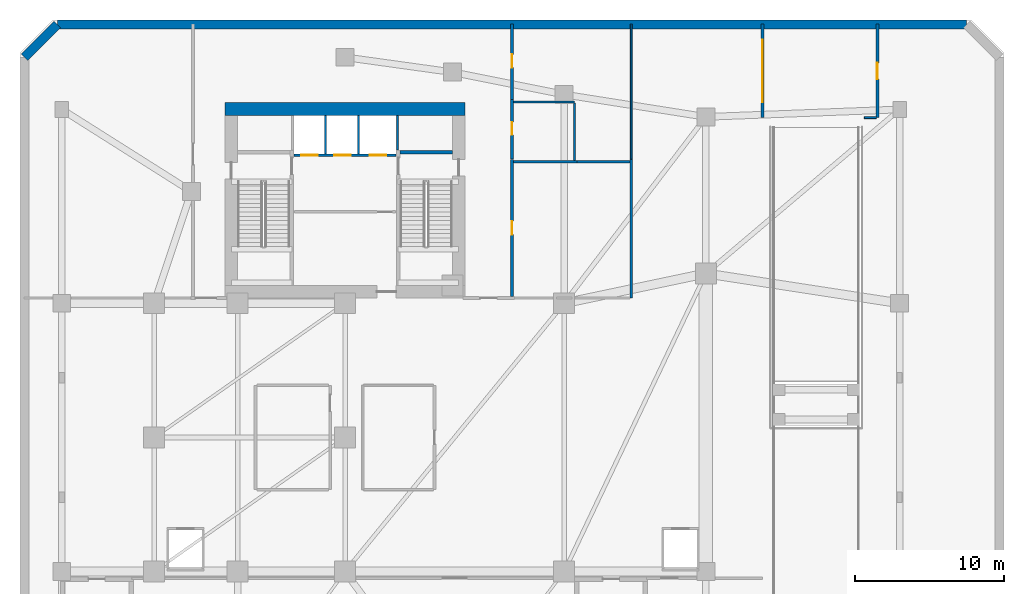
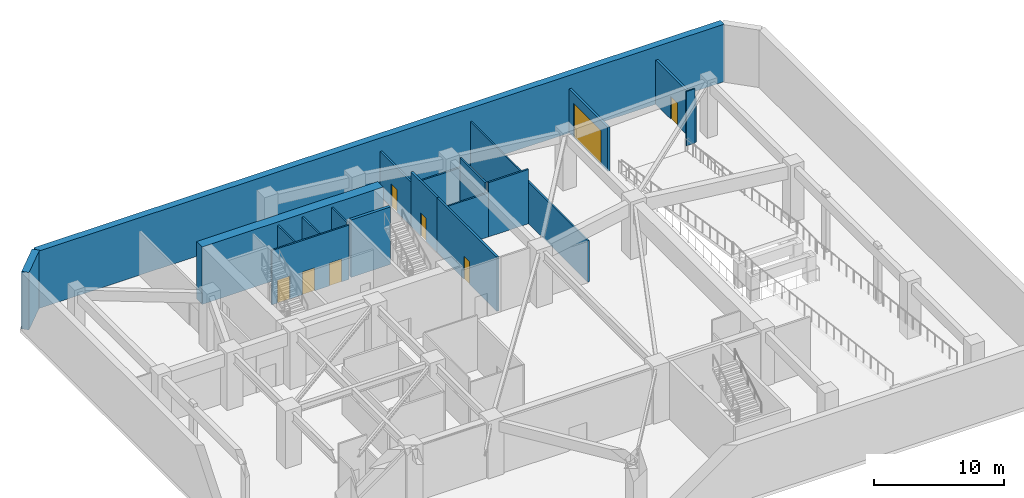
# One storey, part 4 of 9: 20 walls, 8 doors, 8 openings.
"""IFC4 building model written with IfcOpenShell, lengths in metres."""

from ifc_helpers import new_model, si_unit, direction, frame, frame_2d, origin, place, context, subcontext, project, spatial, rectangle, extrude, source, transform, mapped, material, layer, layer_set, type_object, element, fill, save


model = new_model("IFC4")

# Units and contexts
model_context = context("Model", 3, precision=1e-05, world=origin(), true_north=direction((0.0, 1.0)))
body_context = subcontext(model_context, "Body", "Model", "MODEL_VIEW")
ifc_project = project(units=[si_unit("LENGTHUNIT", "METRE"), si_unit("AREAUNIT", "SQUARE_METRE"), si_unit("VOLUMEUNIT", "CUBIC_METRE"), si_unit("PLANEANGLEUNIT", "RADIAN"), si_unit("MASSUNIT", "GRAM", prefix="KILO")], contexts=[model_context])

# Site, building, storey
site_placement = place(None, origin())
site = spatial("IfcSite", under=ifc_project, at=site_placement, CompositionType="ELEMENT")
building_placement = place(site_placement, origin())
building = spatial("IfcBuilding", under=site, at=building_placement, Name="Calvemar Wedge Station Tower", CompositionType="ELEMENT")
storey_placement = place(building_placement, frame((0.0, 0.0, -5.39990234375)))
storey = spatial("IfcBuildingStorey", under=building, at=storey_placement, Name="B01", CompositionType="ELEMENT", Elevation=-5.39990234375)

# Walls
ifc_material_1 = material(Name="Concrete C50", Category="concrete")
ifc_layer_1 = layer(ifc_material_1, 0.260009765625)
ifc_layer_set_1 = layer_set([ifc_layer_1], Name="Concrete C50")
wall_type_1 = type_object("IfcWallType", Name="SW-CORE-260", PredefinedType="SHEAR", material=ifc_layer_set_1)
wall_1_placement = place(storey_placement, frame((27.5, 43.1298828125, 0.0), z_axis=(0.0, 0.0, 1.0), x_axis=(1.0, 0.0, 0.0)))
element("IfcWall", 1, at=wall_1_placement, inside=storey, type_object=wall_type_1, Name="Storey B01 Core Shear Wall STC2-N", PredefinedType="SHEAR", context=body_context, shape_type="SweptSolid", body=[
    extrude(rectangle(XDim=3.5, YDim=0.260009765625, at=frame_2d((1.75, 0.0))), origin(), (0.0, 0.0, 1.0), 5.39990234375),
])
ifc_material_2 = material(Name="Concrete C80", Category="concrete")
ifc_layer_2 = layer(ifc_material_2, 0.85009765625)
ifc_layer_set_2 = layer_set([ifc_layer_2], Name="Concrete C80")
wall_type_2 = type_object("IfcWallType", Name="SW-CORE-850", PredefinedType="SHEAR", material=ifc_layer_set_2)
wall_2_placement = place(storey_placement, frame((15.75, 46.02490234375, 0.0), z_axis=(0.0, 0.0, 1.0), x_axis=(1.0, 0.0, 0.0)))
element("IfcWall", 2, at=wall_2_placement, inside=storey, type_object=wall_type_2, Name="Storey B01 Core Shear Wall N", PredefinedType="SHEAR", context=body_context, shape_type="SweptSolid", body=[
    extrude(rectangle(XDim=16.10009765625, YDim=0.85009765625, at=frame_2d((8.050048828125, 0.0))), origin(), (0.0, 0.0, 1.0), 5.39990234375),
])
ifc_layer_3 = layer(ifc_material_1, 0.60009765625)
ifc_layer_set_3 = layer_set([ifc_layer_3], Name="Concrete C50")
wall_type_3 = type_object("IfcWallType", Name="SW-CORE-RET-600", PredefinedType="SHEAR", material=ifc_layer_set_3)
wall_3_placement = place(storey_placement, frame((65.5, 51.699951171875, 0.0), z_axis=(0.0, 0.0, 1.0), x_axis=(-1.0, 0.0, 0.0)))
element("IfcWall", 3, at=wall_3_placement, inside=storey, type_object=wall_type_3, Name="Basement B01 Diaphragm Retaining Wall 5", PredefinedType="SHEAR", context=body_context, shape_type="SweptSolid", body=[
    extrude(rectangle(XDim=61.0, YDim=0.60009765625, at=frame_2d((30.5, 0.0))), origin(), (0.0, 0.0, 1.0), 5.39990234375),
])
wall_4_placement = place(storey_placement, frame((4.5, 51.699951171875, 0.0), z_axis=(0.0, 0.0, 1.0), x_axis=(-0.707106781187, -0.707106781187, 0.0)))
element("IfcWall", 4, at=wall_4_placement, inside=storey, type_object=wall_type_3, Name="Basement B01 Diaphragm Retaining Wall 6", PredefinedType="SHEAR", context=body_context, shape_type="SweptSolid", body=[
    extrude(rectangle(XDim=3.111083984375, YDim=0.60009765625, at=frame_2d((1.5556640625, 0.0))), origin(), (0.0, 0.0, 1.0), 5.39990234375),
])

# Wall, opening, door
ifc_material_3 = material(Name="Double-stud fire-rated corridor partition")
ifc_layer_4 = layer(ifc_material_3, 0.179931640625)
ifc_layer_set_4 = layer_set([ifc_layer_4], Name="Double-stud fire-rated corridor partition")
wall_type_4 = type_object("IfcWallType", Name="W-CORR-180", PredefinedType="PARTITIONING", material=ifc_layer_set_4)
wall_5_placement = place(storey_placement, frame((35.0, 42.659912109375, 0.0), z_axis=(0.0, 0.0, 1.0), x_axis=(0.0, -1.0, 0.0)))
wall_5 = element("IfcWall", 5, at=wall_5_placement, inside=storey, type_object=wall_type_4, Name="Storey B01 Interior Partition WL-B01-029", PredefinedType="PARTITIONING", context=body_context, shape_type="SweptSolid", body=[
    extrude(rectangle(XDim=9.2158203125, YDim=0.179931640625, at=frame_2d((4.60791015625, 0.0))), origin(), (0.0, 0.0, 1.0), 5.099853515625),
])
shared_shape_1 = source(origin(), body_context, "Body", "SweptSolid", [
    extrude(rectangle(XDim=0.89990234375, YDim=2.14990234375, at=frame_2d((0.449951171875, 1.074951171875))), frame((0.0, 0.10009765625, 0.0), z_axis=(0.0, -1.0, 0.0), x_axis=(1.0, 0.0, 0.0)), (0.0, 0.0, 1.0), 0.199951171875),
])
opening_1_placement = place(wall_5_placement, frame((4.157958984375, 0.0, 0.0)))
opening_1 = element("IfcOpeningElement", 6, at=opening_1_placement, cuts=wall_5, Name="Opening D-01", PredefinedType="OPENING", context=body_context, shape_type="MappedRepresentation", body=[
    mapped(shared_shape_1, transform((0.0, 0.0, 0.0), scale=1.0)),
])
ifc_material_4 = material(Name="Architectural hardwood acoustic swing door", Category="wood")
door_type_1 = type_object("IfcDoorType", Name="DR-INT-900", OperationType="NOTDEFINED", PredefinedType="DOOR", material=ifc_material_4)
shared_shape_2 = source(origin(), body_context, "Body", "SweptSolid", [
    extrude(rectangle(XDim=0.89990234375, YDim=2.14990234375, at=frame_2d((0.449951171875, 1.074951171875))), frame((0.0, 0.02490234375, 0.0), z_axis=(0.0, -1.0, 0.0), x_axis=(1.0, 0.0, 0.0)), (0.0, 0.0, 1.0), 0.050048828125),
])
door_1_placement = place(opening_1_placement, origin())
door_1 = element("IfcDoor", 7, at=door_1_placement, inside=storey, type_object=door_type_1, Name="B01 Commuter Changing and Shower Room Door", OperationType="SINGLE_SWING_RIGHT", OverallHeight=2.14990234375, OverallWidth=0.89990234375, PredefinedType="DOOR", context=body_context, shape_type="MappedRepresentation", body=[
    mapped(shared_shape_2, transform((0.0, 0.0, 0.0), scale=1.0)),
])
fill(opening_1, door_1)

wall_6_placement = place(storey_placement, frame((35.0, 46.659912109375, 0.0), z_axis=(0.0, 0.0, 1.0), x_axis=(0.0, -1.0, 0.0)))
wall_6 = element("IfcWall", 8, at=wall_6_placement, inside=storey, type_object=wall_type_4, Name="Storey B01 Interior Partition WL-B01-030", PredefinedType="PARTITIONING", context=body_context, shape_type="SweptSolid", body=[
    extrude(rectangle(XDim=3.997802734375, YDim=0.179931640625, at=frame_2d((1.9990234375, 0.0))), origin(), (0.0, 0.0, 1.0), 5.099853515625),
])
shared_shape_3 = source(origin(), body_context, "Body", "SweptSolid", [
    extrude(rectangle(XDim=0.85009765625, YDim=2.14990234375, at=frame_2d((0.425048828125, 1.074951171875))), frame((0.0, 0.10009765625, 0.0), z_axis=(0.0, -1.0, 0.0), x_axis=(1.0, 0.0, 0.0)), (0.0, 0.0, 1.0), 0.199951171875),
])
opening_2_placement = place(wall_6_placement, frame((1.512451171875, 0.0, 0.0)))
opening_2 = element("IfcOpeningElement", 9, at=opening_2_placement, cuts=wall_6, Name="Opening D-02", PredefinedType="OPENING", context=body_context, shape_type="MappedRepresentation", body=[
    mapped(shared_shape_3, transform((0.0, 0.0, 0.0), scale=1.0)),
])
ifc_material_5 = material(Name="Moisture-sealed bathroom hardwood swing door", Category="wood")
door_type_2 = type_object("IfcDoorType", Name="DR-WET-850", OperationType="NOTDEFINED", PredefinedType="DOOR", material=ifc_material_5)
shared_shape_4 = source(origin(), body_context, "Body", "SweptSolid", [
    extrude(rectangle(XDim=0.85009765625, YDim=2.14990234375, at=frame_2d((0.425048828125, 1.074951171875))), frame((0.0, 0.02490234375, 0.0), z_axis=(0.0, -1.0, 0.0), x_axis=(1.0, 0.0, 0.0)), (0.0, 0.0, 1.0), 0.050048828125),
])
door_2_placement = place(opening_2_placement, origin())
door_2 = element("IfcDoor", 10, at=door_2_placement, inside=storey, type_object=door_type_2, Name="B01 Accessible WC Door", OperationType="SINGLE_SWING_LEFT", OverallHeight=2.14990234375, OverallWidth=0.85009765625, PredefinedType="DOOR", context=body_context, shape_type="MappedRepresentation", body=[
    mapped(shared_shape_4, transform((0.0, 0.0, 0.0), scale=1.0)),
])
fill(opening_2, door_2)

wall_7_placement = place(storey_placement, frame((35.0, 51.715087890625, 0.0), z_axis=(0.0, 0.0, 1.0), x_axis=(0.0, -1.0, 0.0)))
wall_7 = element("IfcWall", 11, at=wall_7_placement, inside=storey, type_object=wall_type_4, Name="Storey B01 Interior Partition WL-B01-031", PredefinedType="PARTITIONING", context=body_context, shape_type="SweptSolid", body=[
    extrude(rectangle(XDim=5.052978515625, YDim=0.179931640625, at=frame_2d((2.5263671875, 0.0))), origin(), (0.0, 0.0, 1.0), 4.141845703125),
])
opening_3_placement = place(wall_7_placement, frame((2.0146484375, 0.0, 0.0)))
opening_3 = element("IfcOpeningElement", 12, at=opening_3_placement, cuts=wall_7, Name="Opening D-01", PredefinedType="OPENING", context=body_context, shape_type="MappedRepresentation", body=[
    mapped(shared_shape_1, transform((0.0, 0.0, 0.0), scale=1.0)),
])
door_3_placement = place(opening_3_placement, origin())
door_3 = element("IfcDoor", 13, at=door_3_placement, inside=storey, type_object=door_type_1, Name="B01 Commuter Gear Store Door", OperationType="SINGLE_SWING_RIGHT", OverallHeight=2.14990234375, OverallWidth=0.89990234375, PredefinedType="DOOR", context=body_context, shape_type="MappedRepresentation", body=[
    mapped(shared_shape_2, transform((0.0, 0.0, 0.0), scale=1.0)),
])
fill(opening_3, door_3)

# Wall, openings, doors
ifc_material_6 = material(Name="Reinforced concrete blockwork lift shaft wall", Category="masonry")
ifc_layer_5 = layer(ifc_material_6, 0.139892578125)
ifc_layer_set_5 = layer_set([ifc_layer_5], Name="Reinforced concrete blockwork lift shaft wall")
wall_type_5 = type_object("IfcWallType", Name="W-LIFT-160", PredefinedType="SOLIDWALL", material=ifc_layer_set_5)
wall_8_placement = place(storey_placement, frame((20.3701171875, 42.929931640625, 0.0), z_axis=(0.0, 0.0, 1.0), x_axis=(1.0, 0.0, 0.0)))
wall_8 = element("IfcWall", 14, at=wall_8_placement, inside=storey, type_object=wall_type_5, Name="Storey B01 Firefighting and Service Lift Shaft Front Wall", PredefinedType="SOLIDWALL", context=body_context, shape_type="SweptSolid", body=[
    extrude(rectangle(XDim=6.85986328125, YDim=0.139892578125, at=frame_2d((3.429931640625, 0.0))), origin(), (0.0, 0.0, 1.0), 5.099853515625),
])
shared_shape_5 = source(origin(), body_context, "Body", "SweptSolid", [
    extrude(rectangle(XDim=1.10009765625, YDim=2.14990234375, at=frame_2d((0.550048828125, 1.074951171875))), frame((0.0, 0.080078125, 0.0), z_axis=(0.0, -1.0, 0.0), x_axis=(1.0, 0.0, 0.0)), (0.0, 0.0, 1.0), 0.159912109375),
])
opening_4_placement = place(wall_8_placement, frame((0.5, 0.0, 0.0)))
opening_4 = element("IfcOpeningElement", 15, at=opening_4_placement, cuts=wall_8, Name="Opening LD-FF", PredefinedType="OPENING", context=body_context, shape_type="MappedRepresentation", body=[
    mapped(shared_shape_5, transform((0.0, 0.0, 0.0), scale=1.0)),
])
opening_5_placement = place(wall_8_placement, frame((2.699951171875, 0.0, 0.0)))
opening_5 = element("IfcOpeningElement", 16, at=opening_5_placement, cuts=wall_8, Name="Opening LD-FF", PredefinedType="OPENING", context=body_context, shape_type="MappedRepresentation", body=[
    mapped(shared_shape_5, transform((0.0, 0.0, 0.0), scale=1.0)),
])
opening_6_placement = place(wall_8_placement, frame((5.10009765625, 0.0, 0.0)))
opening_6 = element("IfcOpeningElement", 17, at=opening_6_placement, cuts=wall_8, Name="Opening LD-STN", PredefinedType="OPENING", context=body_context, shape_type="MappedRepresentation", body=[
    mapped(shared_shape_5, transform((0.0, 0.0, 0.0), scale=1.0)),
])
ifc_material_7 = material(Name="Stainless steel firefighting lift sliding landing door", Category="steel")
door_type_3 = type_object("IfcDoorType", Name="DR-LD-FF-1100", OperationType="SLIDING_TO_LEFT", PredefinedType="DOOR", material=ifc_material_7)
shared_shape_6 = source(origin(), body_context, "Body", "SweptSolid", [
    extrude(rectangle(XDim=1.10009765625, YDim=2.14990234375, at=frame_2d((0.550048828125, 1.074951171875))), frame((0.0, 0.02490234375, 0.0), z_axis=(0.0, -1.0, 0.0), x_axis=(1.0, 0.0, 0.0)), (0.0, 0.0, 1.0), 0.050048828125),
])
door_4_placement = place(opening_4_placement, origin())
door_4 = element("IfcDoor", 18, at=door_4_placement, inside=storey, type_object=door_type_3, Name="B01 Lift FF-01 Sliding Landing Door", OperationType="SLIDING_TO_LEFT", OverallHeight=2.14990234375, OverallWidth=1.10009765625, PredefinedType="DOOR", context=body_context, shape_type="MappedRepresentation", body=[
    mapped(shared_shape_6, transform((0.0, 0.0, 0.0), scale=1.0)),
])
fill(opening_4, door_4)
door_5_placement = place(opening_5_placement, origin())
door_5 = element("IfcDoor", 19, at=door_5_placement, inside=storey, type_object=door_type_3, Name="B01 Lift FF-02 Sliding Landing Door", OperationType="SLIDING_TO_RIGHT", OverallHeight=2.14990234375, OverallWidth=1.10009765625, PredefinedType="DOOR", context=body_context, shape_type="MappedRepresentation", body=[
    mapped(shared_shape_6, transform((0.0, 0.0, 0.0), scale=1.0)),
])
fill(opening_5, door_5)
ifc_material_8 = material(Name="Stainless steel transit lift sliding landing door", Category="steel")
door_type_4 = type_object("IfcDoorType", Name="DR-LD-PAX-1100", OperationType="SLIDING_TO_LEFT", PredefinedType="DOOR", material=ifc_material_8)
shared_shape_7 = source(origin(), body_context, "Body", "SweptSolid", [
    extrude(rectangle(XDim=1.10009765625, YDim=2.14990234375, at=frame_2d((0.550048828125, 1.074951171875))), frame((0.0, 0.02490234375, 0.0), z_axis=(0.0, -1.0, 0.0), x_axis=(1.0, 0.0, 0.0)), (0.0, 0.0, 1.0), 0.050048828125),
])
door_6_placement = place(opening_6_placement, origin())
door_6 = element("IfcDoor", 20, at=door_6_placement, inside=storey, type_object=door_type_4, Name="B01 Lift SV-01 Sliding Landing Door", OperationType="SLIDING_TO_LEFT", OverallHeight=2.14990234375, OverallWidth=1.10009765625, PredefinedType="DOOR", context=body_context, shape_type="MappedRepresentation", body=[
    mapped(shared_shape_7, transform((0.0, 0.0, 0.0), scale=1.0)),
])
fill(opening_6, door_6)

# Walls
wall_9_placement = place(storey_placement, frame((27.31005859375, 43.280029296875, 0.0), z_axis=(0.0, 0.0, 1.0), x_axis=(0.0, 1.0, 0.0)))
element("IfcWall", 21, at=wall_9_placement, inside=storey, type_object=wall_type_5, Name="Storey B01 Firefighting Lift Shaft Enclosure Wall E", PredefinedType="SOLIDWALL", context=body_context, shape_type="SweptSolid", body=[
    extrude(rectangle(XDim=2.300048828125, YDim=0.139892578125, at=frame_2d((1.14990234375, 0.0))), origin(), (0.0, 0.0, 1.0), 5.099853515625),
])
for number, where, z_axis, x_axis, name in (
    (22, (22.5, 43.02001953125, 0.0), (0.0, 0.0, 1.0), (0.0, 1.0, 0.0), "Storey B01 Firefighting Lift Shaft Enclosure Wall D1"),
    (23, (24.699951171875, 43.02001953125, 0.0), (0.0, 0.0, 1.0), (0.0, 1.0, 0.0), "Storey B01 Firefighting Lift Shaft Enclosure Wall D2"),
):
    element("IfcWall", number, at=place(storey_placement, frame(where, z_axis=z_axis, x_axis=x_axis)), inside=storey, type_object=wall_type_5, Name=name, PredefinedType="SOLIDWALL", context=body_context, shape_type="SweptSolid", body=[
        extrude(rectangle(XDim=2.56005859375, YDim=0.139892578125, at=frame_2d((1.280029296875, 0.0))), origin(), (0.0, 0.0, 1.0), 5.099853515625),
    ])
ifc_material_9 = material(Name="Insulated acoustic gypsum stud partition")
ifc_layer_6 = layer(ifc_material_9, 0.125)
ifc_layer_set_6 = layer_set([ifc_layer_6], Name="Insulated acoustic gypsum stud partition")
wall_type_6 = type_object("IfcWallType", Name="W-PART-125", PredefinedType="PARTITIONING", material=ifc_layer_set_6)
wall_10_placement = place(storey_placement, frame((59.43359375, 45.449951171875, 0.0), z_axis=(0.0, 0.0, 1.0), x_axis=(-1.0, 0.0, 0.0)))
element("IfcWall", 24, at=wall_10_placement, inside=storey, type_object=wall_type_6, Name="Storey B01 Interior Partition WL-B01-004", PredefinedType="PARTITIONING", context=body_context, shape_type="SweptSolid", body=[
    extrude(rectangle(XDim=0.793701171875, YDim=0.125, at=frame_2d((0.39697265625, 0.0))), origin(), (0.0, 0.0, 1.0), 5.099853515625),
])
wall_11_placement = place(storey_placement, frame((43.0, 42.662109375, 0.0), z_axis=(0.0, 0.0, 1.0), x_axis=(0.0, 1.0, 0.0)))
element("IfcWall", 25, at=wall_11_placement, inside=storey, type_object=wall_type_6, Name="Storey B01 Interior Partition WL-B01-021", PredefinedType="PARTITIONING", context=body_context, shape_type="SweptSolid", body=[
    extrude(rectangle(XDim=9.052978515625, YDim=0.125, at=frame_2d((4.5263671875, 0.0))), origin(), (0.0, 0.0, 1.0), 4.141845703125),
])

# Wall, opening, door
ifc_material_10 = material(Name="Concrete blockwork and fireboard shaft wall", Category="masonry")
ifc_layer_7 = layer(ifc_material_10, 0.199951171875)
ifc_layer_set_7 = layer_set([ifc_layer_7], Name="Concrete blockwork and fireboard shaft wall")
wall_type_7 = type_object("IfcWallType", Name="W-SHAFT-200", PredefinedType="SOLIDWALL", material=ifc_layer_set_7)
wall_12_placement = place(storey_placement, frame((51.800048828125, 45.449951171875, 0.0), z_axis=(0.0, 0.0, 1.0), x_axis=(0.0, 1.0, 0.0)))
wall_12 = element("IfcWall", 26, at=wall_12_placement, inside=storey, type_object=wall_type_7, Name="Storey B01 Interior Partition WL-B01-002", PredefinedType="SOLIDWALL", context=body_context, shape_type="SweptSolid", body=[
    extrude(rectangle(XDim=6.26513671875, YDim=0.199951171875, at=frame_2d((3.132568359375, 0.0))), origin(), (0.0, 0.0, 1.0), 4.141845703125),
])
shared_shape_8 = source(origin(), body_context, "Body", "SweptSolid", [
    extrude(rectangle(XDim=4.199951171875, YDim=3.199951171875, at=frame_2d((2.10009765625, 1.60009765625))), frame((0.0, 0.10986328125, 0.0), z_axis=(0.0, -1.0, 0.0), x_axis=(1.0, 0.0, 0.0)), (0.0, 0.0, 1.0), 0.219970703125),
])
opening_7_placement = place(wall_12_placement, frame((1.032470703125, 0.0, 0.0)))
opening_7 = element("IfcOpeningElement", 27, at=opening_7_placement, cuts=wall_12, Name="Opening VG-02", PredefinedType="OPENING", context=body_context, shape_type="MappedRepresentation", body=[
    mapped(shared_shape_8, transform((0.0, 0.0, 0.0), scale=1.0)),
])
ifc_material_11 = material(Name="Galvanized steel fire-rated car park roller shutter gate", Category="steel")
door_type_5 = type_object("IfcDoorType", Name="DR-VEH-B01", OperationType="ROLLINGUP", PredefinedType="GATE", material=ifc_material_11)
shared_shape_9 = source(origin(), body_context, "Body", "SweptSolid", [
    extrude(rectangle(XDim=4.199951171875, YDim=3.199951171875, at=frame_2d((2.10009765625, 1.60009765625))), frame((0.0, 0.02490234375, 0.0), z_axis=(0.0, -1.0, 0.0), x_axis=(1.0, 0.0, 0.0)), (0.0, 0.0, 1.0), 0.050048828125),
])
door_7_placement = place(opening_7_placement, origin())
door_7 = element("IfcDoor", 28, at=door_7_placement, inside=storey, type_object=door_type_5, Name="B01 Basement Car Park and Accessible Bays Door", OperationType="ROLLINGUP", OverallHeight=3.199951171875, OverallWidth=4.199951171875, PredefinedType="GATE", context=body_context, shape_type="MappedRepresentation", body=[
    mapped(shared_shape_9, transform((0.0, 0.0, 0.0), scale=1.0)),
])
fill(opening_7, door_7)

wall_13_placement = place(storey_placement, frame((59.5, 51.715087890625, 0.0), z_axis=(0.0, 0.0, 1.0), x_axis=(0.0, -1.0, 0.0)))
wall_13 = element("IfcWall", 29, at=wall_13_placement, inside=storey, type_object=wall_type_7, Name="Storey B01 Interior Partition WL-B01-003", PredefinedType="SOLIDWALL", context=body_context, shape_type="SweptSolid", body=[
    extrude(rectangle(XDim=6.26513671875, YDim=0.199951171875, at=frame_2d((3.132568359375, 0.0))), origin(), (0.0, 0.0, 1.0), 4.141845703125),
])
shared_shape_10 = source(origin(), body_context, "Body", "SweptSolid", [
    extrude(rectangle(XDim=1.10009765625, YDim=2.14990234375, at=frame_2d((0.550048828125, 1.074951171875))), frame((0.0, 0.10986328125, 0.0), z_axis=(0.0, -1.0, 0.0), x_axis=(1.0, 0.0, 0.0)), (0.0, 0.0, 1.0), 0.219970703125),
])
opening_8_placement = place(wall_13_placement, frame((2.58251953125, 0.0, 0.0)))
opening_8 = element("IfcOpeningElement", 30, at=opening_8_placement, cuts=wall_13, Name="Opening FD-90", PredefinedType="OPENING", context=body_context, shape_type="MappedRepresentation", body=[
    mapped(shared_shape_10, transform((0.0, 0.0, 0.0), scale=1.0)),
])
ifc_material_12 = material(Name="Galvanized fire-rated steel door leaf P-90", Category="steel")
door_type_6 = type_object("IfcDoorType", Name="DR-FD90-1100", OperationType="NOTDEFINED", PredefinedType="DOOR", material=ifc_material_12)
shared_shape_11 = source(origin(), body_context, "Body", "SweptSolid", [
    extrude(rectangle(XDim=1.10009765625, YDim=2.14990234375, at=frame_2d((0.550048828125, 1.074951171875))), frame((0.0, 0.02490234375, 0.0), z_axis=(0.0, -1.0, 0.0), x_axis=(1.0, 0.0, 0.0)), (0.0, 0.0, 1.0), 0.050048828125),
])
door_8_placement = place(opening_8_placement, origin())
door_8 = element("IfcDoor", 31, at=door_8_placement, inside=storey, type_object=door_type_6, Name="B01 Refuse and Recycling Store Door", OperationType="SINGLE_SWING_LEFT", OverallHeight=2.14990234375, OverallWidth=1.10009765625, PredefinedType="DOOR", context=body_context, shape_type="MappedRepresentation", body=[
    mapped(shared_shape_11, transform((0.0, 0.0, 0.0), scale=1.0)),
])
fill(opening_8, door_8)

# Walls
ifc_material_13 = material(Name="Moisture-resistant acoustic bathroom partition")
ifc_layer_8 = layer(ifc_material_13, 0.14990234375)
ifc_layer_set_8 = layer_set([ifc_layer_8], Name="Moisture-resistant acoustic bathroom partition")
wall_type_8 = type_object("IfcWallType", Name="W-WET-150", PredefinedType="PARTITIONING", material=ifc_layer_set_8)
wall_14_placement = place(storey_placement, frame((43.0, 33.35009765625, 0.0), z_axis=(0.0, 0.0, 1.0), x_axis=(0.0, 1.0, 0.0)))
element("IfcWall", 32, at=wall_14_placement, inside=storey, type_object=wall_type_8, Name="Storey B01 Interior Partition WL-B01-018", PredefinedType="PARTITIONING", context=body_context, shape_type="SweptSolid", body=[
    extrude(rectangle(XDim=9.309814453125, YDim=0.14990234375, at=frame_2d((4.65478515625, 0.0))), origin(), (0.0, 0.0, 1.0), 3.891845703125),
])
wall_15_placement = place(storey_placement, frame((35.093994140625, 42.5, 0.0), z_axis=(0.0, 0.0, 1.0), x_axis=(1.0, 0.0, 0.0)))
element("IfcWall", 33, at=wall_15_placement, inside=storey, type_object=wall_type_8, Name="Storey B01 Interior Partition WL-B01-032", PredefinedType="PARTITIONING", context=body_context, shape_type="SweptSolid", body=[
    extrude(rectangle(XDim=4.26611328125, YDim=0.14990234375, at=frame_2d((2.133056640625, 0.0))), origin(), (0.0, 0.0, 1.0), 4.141845703125),
])
wall_16_placement = place(storey_placement, frame((39.362060546875, 42.5, 0.0), z_axis=(0.0, 0.0, 1.0), x_axis=(1.0, 0.0, 0.0)))
element("IfcWall", 34, at=wall_16_placement, inside=storey, type_object=wall_type_8, Name="Storey B01 Interior Partition WL-B01-033", PredefinedType="PARTITIONING", context=body_context, shape_type="SweptSolid", body=[
    extrude(rectangle(XDim=3.558837890625, YDim=0.14990234375, at=frame_2d((1.779296875, 0.0))), origin(), (0.0, 0.0, 1.0), 5.099853515625),
])
wall_17_placement = place(storey_placement, frame((35.093994140625, 46.5, 0.0), z_axis=(0.0, 0.0, 1.0), x_axis=(1.0, 0.0, 0.0)))
element("IfcWall", 35, at=wall_17_placement, inside=storey, type_object=wall_type_8, Name="Storey B01 Interior Partition WL-B01-034", PredefinedType="PARTITIONING", context=body_context, shape_type="SweptSolid", body=[
    extrude(rectangle(XDim=4.10595703125, YDim=0.14990234375, at=frame_2d((2.052978515625, 0.0))), origin(), (0.0, 0.0, 1.0), 4.141845703125),
])
wall_18_placement = place(storey_placement, frame((39.199951171875, 46.4208984375, 0.0), z_axis=(0.0, 0.0, 1.0), x_axis=(0.0, -1.0, 0.0)))
element("IfcWall", 36, at=wall_18_placement, inside=storey, type_object=wall_type_8, Name="Storey B01 Interior Partition WL-B01-035", PredefinedType="PARTITIONING", context=body_context, shape_type="SweptSolid", body=[
    extrude(rectangle(XDim=3.841796875, YDim=0.14990234375, at=frame_2d((1.9208984375, 0.0))), origin(), (0.0, 0.0, 1.0), 5.099853515625),
])

save(model, "model.ifc")
